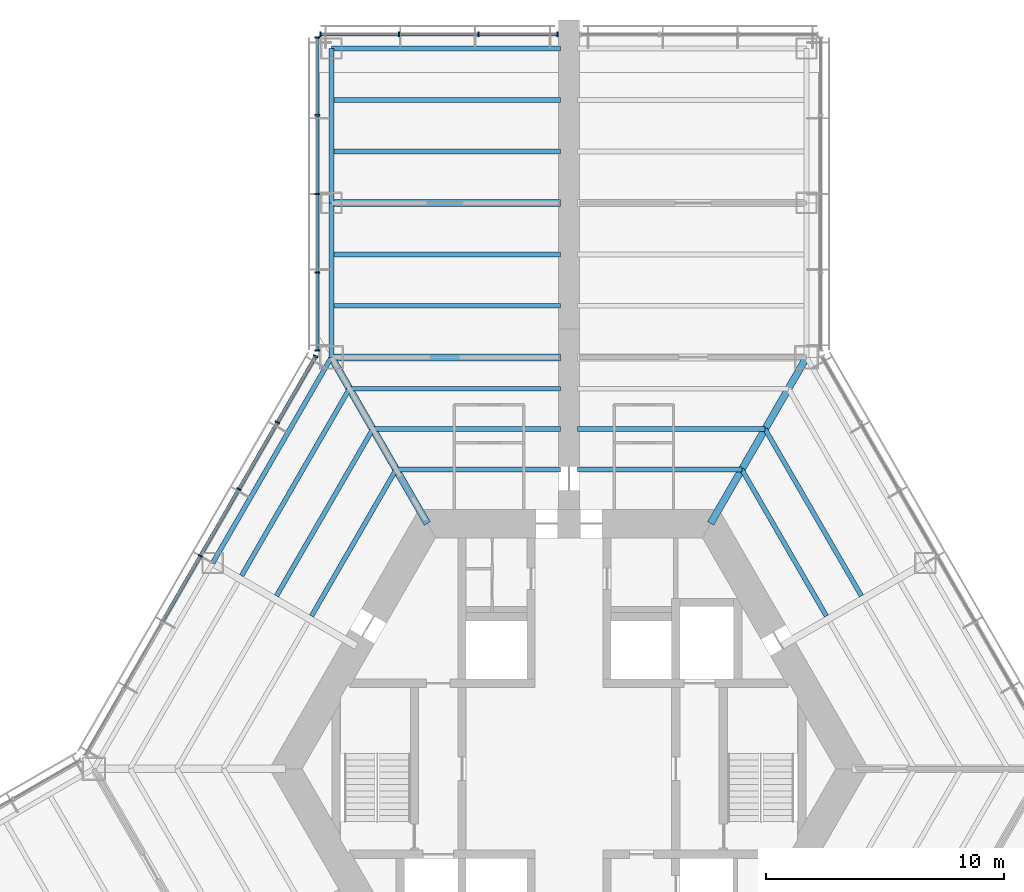
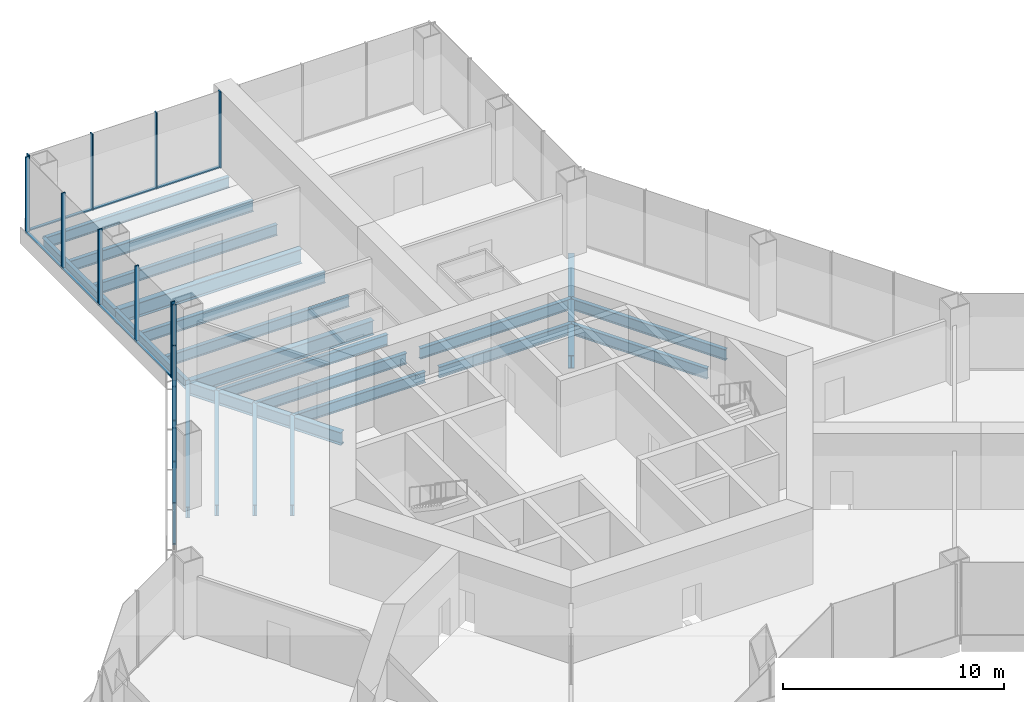
# One storey, part 6 of 15: 24 members, 22 beams, 3 elements without a shape of their own.
"""IFC4 building model written with IfcOpenShell, lengths in metres."""

from ifc_helpers import new_model, si_unit, direction, frame, origin, origin_2d, place, context, subcontext, project, spatial, rectangle, i_section, extrude, material, material_profile, profile_set, type_object, element, aggregate, save


model = new_model("IFC4")

# Units and contexts
model_context = context("Model", 3, precision=1e-05, world=origin(), true_north=direction((0.0, 1.0)))
body_context = subcontext(model_context, "Body", "Model", "MODEL_VIEW")
ifc_project = project(units=[si_unit("LENGTHUNIT", "METRE"), si_unit("AREAUNIT", "SQUARE_METRE"), si_unit("VOLUMEUNIT", "CUBIC_METRE"), si_unit("PLANEANGLEUNIT", "RADIAN"), si_unit("MASSUNIT", "GRAM", prefix="KILO")], contexts=[model_context])

# Site, building, storey
site_placement = place(None, origin())
site = spatial("IfcSite", under=ifc_project, at=site_placement, CompositionType="ELEMENT")
building_placement = place(site_placement, origin())
building = spatial("IfcBuilding", under=site, at=building_placement, Name="Kasaneha Research Tower", CompositionType="ELEMENT")
storey_placement = place(building_placement, frame((0.0, 0.0, 35.199951171875)))
storey = spatial("IfcBuildingStorey", under=building, at=storey_placement, Name="L09", CompositionType="ELEMENT", Elevation=35.199951171875)

# Beams
ifc_material_1 = material(Name="Steel SN490B", Category="steel")
ifc_material_profile_1 = material_profile(ifc_material_1, i_section(OverallWidth=0.199951171875, OverallDepth=0.60009765625, WebThickness=0.010986328125, FlangeThickness=0.01708984375, FilletRadius=0.012939453125, at=origin_2d()), Name="H-600x200x11x17")
ifc_profile_set_1 = profile_set([ifc_material_profile_1], Name="Steel SN490B")
beam_type_1 = type_object("IfcBeamType", Name="B1-2 secondary beam H-600x200x11x17", PredefinedType="JOIST", material=ifc_profile_set_1)
beam_1_placement = place(storey_placement, frame((7.274658203125, 12.60009765625, -0.469970703125), z_axis=(0.499990404686, -0.866030943571, 0.0), x_axis=(0.866030943571, 0.499990404686, 0.0)))
element("IfcBeam", 1, at=beam_1_placement, inside=storey, type_object=beam_type_1, Name="Secondary beam RS030R1 L09", PredefinedType="JOIST", context=body_context, shape_type="SweptSolid", body=[
    extrude(i_section(OverallWidth=0.199951171875, OverallDepth=0.60009765625, WebThickness=0.010986328125, FlangeThickness=0.01708984375, FilletRadius=0.012939453125, at=origin_2d()), origin(), (0.0, 0.0, 1.0), 7.124755859375),
])
beam_2_placement = place(storey_placement, frame((8.256103515625, 14.300048828125, -0.469970703125), z_axis=(0.499984030215, -0.866034623748, 0.0), x_axis=(0.866034623748, 0.499984030215, 0.0)))
element("IfcBeam", 2, at=beam_2_placement, inside=storey, type_object=beam_type_1, Name="Secondary beam RS030R2 L09", PredefinedType="JOIST", context=body_context, shape_type="SweptSolid", body=[
    extrude(i_section(OverallWidth=0.199951171875, OverallDepth=0.60009765625, WebThickness=0.010986328125, FlangeThickness=0.01708984375, FilletRadius=0.012939453125, at=origin_2d()), origin(), (0.0, 0.0, 1.0), 8.106201171875),
])
beam_3_placement = place(storey_placement, frame((7.274658203125, 12.60009765625, -0.469970703125), z_axis=(-1.0, 0.0, 0.0), x_axis=(0.0, -1.0, 0.0)))
element("IfcBeam", 3, at=beam_3_placement, inside=storey, type_object=beam_type_1, Name="Secondary beam RS090L1 L09", PredefinedType="JOIST", context=body_context, shape_type="SweptSolid", body=[
    extrude(i_section(OverallWidth=0.199951171875, OverallDepth=0.60009765625, WebThickness=0.010986328125, FlangeThickness=0.01708984375, FilletRadius=0.012939453125, at=origin_2d()), origin(), (0.0, 0.0, 1.0), 6.924560546875),
])
beam_4_placement = place(storey_placement, frame((8.256103515625, 14.300048828125, -0.469970703125), z_axis=(-1.0, 0.0, 0.0), x_axis=(0.0, -1.0, 0.0)))
element("IfcBeam", 4, at=beam_4_placement, inside=storey, type_object=beam_type_1, Name="Secondary beam RS090L2 L09", PredefinedType="JOIST", context=body_context, shape_type="SweptSolid", body=[
    extrude(i_section(OverallWidth=0.199951171875, OverallDepth=0.60009765625, WebThickness=0.010986328125, FlangeThickness=0.01708984375, FilletRadius=0.012939453125, at=origin_2d()), origin(), (0.0, 0.0, 1.0), 7.906005859375),
])
beam_5_placement = place(storey_placement, frame((-7.274658203125, 12.60009765625, -0.469970703125), z_axis=(1.0, 0.0, 0.0), x_axis=(0.0, 1.0, 0.0)))
element("IfcBeam", 5, at=beam_5_placement, inside=storey, type_object=beam_type_1, Name="Secondary beam RS090R1 L09", PredefinedType="JOIST", context=body_context, shape_type="SweptSolid", body=[
    extrude(i_section(OverallWidth=0.199951171875, OverallDepth=0.60009765625, WebThickness=0.010986328125, FlangeThickness=0.01708984375, FilletRadius=0.012939453125, at=origin_2d()), origin(), (0.0, 0.0, 1.0), 6.924560546875),
])
beam_6_placement = place(storey_placement, frame((-8.256103515625, 14.300048828125, -0.469970703125), z_axis=(1.0, 0.0, 0.0), x_axis=(0.0, 1.0, 0.0)))
element("IfcBeam", 6, at=beam_6_placement, inside=storey, type_object=beam_type_1, Name="Secondary beam RS090R2 L09", PredefinedType="JOIST", context=body_context, shape_type="SweptSolid", body=[
    extrude(i_section(OverallWidth=0.199951171875, OverallDepth=0.60009765625, WebThickness=0.010986328125, FlangeThickness=0.01708984375, FilletRadius=0.012939453125, at=origin_2d()), origin(), (0.0, 0.0, 1.0), 7.906005859375),
])
beam_7_placement = place(storey_placement, frame((-9.237548828125, 16.0, -0.469970703125), z_axis=(1.0, 0.0, 0.0), x_axis=(0.0, 1.0, 0.0)))
element("IfcBeam", 7, at=beam_7_placement, inside=storey, type_object=beam_type_1, Name="Secondary beam RS090R3 L09", PredefinedType="JOIST", context=body_context, shape_type="SweptSolid", body=[
    extrude(i_section(OverallWidth=0.199951171875, OverallDepth=0.60009765625, WebThickness=0.010986328125, FlangeThickness=0.01708984375, FilletRadius=0.012939453125, at=origin_2d()), origin(), (0.0, 0.0, 1.0), 8.887451171875),
])
beam_8_placement = place(storey_placement, frame((-7.274658203125, 12.60009765625, -0.469970703125), z_axis=(-0.499990404686, -0.866030943571, 0.0), x_axis=(0.866030943571, -0.499990404686, 0.0)))
element("IfcBeam", 8, at=beam_8_placement, inside=storey, type_object=beam_type_1, Name="Secondary beam RS150L1 L09", PredefinedType="JOIST", context=body_context, shape_type="SweptSolid", body=[
    extrude(i_section(OverallWidth=0.199951171875, OverallDepth=0.60009765625, WebThickness=0.010986328125, FlangeThickness=0.01708984375, FilletRadius=0.012939453125, at=origin_2d()), origin(), (0.0, 0.0, 1.0), 7.124755859375),
])
beam_9_placement = place(storey_placement, frame((-8.256103515625, 14.300048828125, -0.469970703125), z_axis=(-0.499984030215, -0.866034623748, 0.0), x_axis=(0.866034623748, -0.499984030215, 0.0)))
element("IfcBeam", 9, at=beam_9_placement, inside=storey, type_object=beam_type_1, Name="Secondary beam RS150L2 L09", PredefinedType="JOIST", context=body_context, shape_type="SweptSolid", body=[
    extrude(i_section(OverallWidth=0.199951171875, OverallDepth=0.60009765625, WebThickness=0.010986328125, FlangeThickness=0.01708984375, FilletRadius=0.012939453125, at=origin_2d()), origin(), (0.0, 0.0, 1.0), 8.106201171875),
])
beam_10_placement = place(storey_placement, frame((-9.237548828125, 16.0, -0.469970703125), z_axis=(-0.500010814234, -0.866019160093, 0.0), x_axis=(0.866019160093, -0.500010814234, 0.0)))
element("IfcBeam", 10, at=beam_10_placement, inside=storey, type_object=beam_type_1, Name="Secondary beam RS150L3 L09", PredefinedType="JOIST", context=body_context, shape_type="SweptSolid", body=[
    extrude(i_section(OverallWidth=0.199951171875, OverallDepth=0.60009765625, WebThickness=0.010986328125, FlangeThickness=0.01708984375, FilletRadius=0.012939453125, at=origin_2d()), origin(), (0.0, 0.0, 1.0), 9.087646484375),
])
ifc_material_2 = material(Name="Steel SN490B", Category="steel")
ifc_material_profile_2 = material_profile(ifc_material_2, i_section(OverallWidth=0.198974609375, OverallDepth=0.595947265625, WebThickness=0.010009765625, FlangeThickness=0.014892578125, FilletRadius=0.012939453125, at=origin_2d()), Name="H-596x199x10x15")
ifc_profile_set_2 = profile_set([ifc_material_profile_2], Name="Steel SN490B")
beam_type_2 = type_object("IfcBeamType", Name="B2-2 secondary beam H-596x199x10x15", PredefinedType="JOIST", material=ifc_profile_set_2)
for number, where, z_axis, x_axis, name in (
    (11, (-10.0, 19.487060546875, -0.468017578125), (1.0, 0.0, 0.0), (0.0, 1.0, 0.0), "Secondary beam WBAN1 L09"),
    (12, (-10.0, 21.65380859375, -0.468017578125), (1.0, 0.0, 0.0), (0.0, 1.0, 0.0), "Secondary beam WBAN2 L09"),
    (13, (-10.0, 25.987060546875, -0.468017578125), (1.0, 0.0, 0.0), (0.0, 1.0, 0.0), "Secondary beam WBAN3 L09"),
    (14, (-10.0, 28.15380859375, -0.468017578125), (1.0, 0.0, 0.0), (0.0, 1.0, 0.0), "Secondary beam WBAN4 L09"),
):
    element("IfcBeam", number, at=place(storey_placement, frame(where, z_axis=z_axis, x_axis=x_axis)), inside=storey, type_object=beam_type_2, Name=name, PredefinedType="JOIST", context=body_context, shape_type="SweptSolid", body=[
        extrude(i_section(OverallWidth=0.198974609375, OverallDepth=0.595947265625, WebThickness=0.010009765625, FlangeThickness=0.014892578125, FilletRadius=0.012939453125, at=origin_2d()), origin(), (0.0, 0.0, 1.0), 9.64990234375),
    ])

# Curtain wall, members
ifc_material_3 = material(Name="Glass and aluminium", Category="aluminium")
curtain_wall_type = type_object("IfcCurtainWallType", Name="Dry laboratory curtain wall", PredefinedType="USERDEFINED", material=ifc_material_3)
curtain_wall_1_placement = place(storey_placement, origin())
curtain_wall_1 = element("IfcCurtainWall", 15, at=curtain_wall_1_placement, inside=storey, type_object=curtain_wall_type, Name="CW-L2 L09 run 10a", ObjectType="UNITISED CURTAIN WALL", PredefinedType="USERDEFINED")
ifc_material_4 = material(Name="Aluminium 6063-T6", Category="aluminium")
ifc_material_profile_3 = material_profile(ifc_material_4, rectangle(XDim=0.06494140625, YDim=0.199951171875, at=origin_2d()), Name="CW-L2 mullion 65x200")
ifc_profile_set_3 = profile_set([ifc_material_profile_3], Name="Aluminium 6063-T6")
member_type_1 = type_object("IfcMemberType", Name="CW-L2 mullion", PredefinedType="MULLION", material=ifc_profile_set_3)
member_1_placement = place(storey_placement, frame((-0.482421875, 30.92041015625, 0.0), z_axis=(0.0, 0.0, 1.0), x_axis=(-1.0, 0.0, 0.0)))
member_1 = element("IfcMember", 16, at=member_1_placement, type_object=member_type_1, Name="CW-L2 mullion 1", PredefinedType="MULLION", context=body_context, shape_type="SweptSolid", body=[
    extrude(rectangle(XDim=0.06494140625, YDim=0.199951171875, at=origin_2d()), origin(), (0.0, 0.0, 1.0), 4.199951171875),
])
member_2_placement = place(storey_placement, frame((-3.800048828125, 30.92041015625, 0.0), z_axis=(0.0, 0.0, 1.0), x_axis=(-1.0, 0.0, 0.0)))
member_2 = element("IfcMember", 17, at=member_2_placement, type_object=member_type_1, Name="CW-L2 mullion 2", PredefinedType="MULLION", context=body_context, shape_type="SweptSolid", body=[
    extrude(rectangle(XDim=0.06494140625, YDim=0.199951171875, at=origin_2d()), origin(), (0.0, 0.0, 1.0), 4.199951171875),
])
member_3_placement = place(storey_placement, frame((-7.14990234375, 30.92041015625, 0.0), z_axis=(0.0, 0.0, 1.0), x_axis=(-1.0, 0.0, 0.0)))
member_3 = element("IfcMember", 18, at=member_3_placement, type_object=member_type_1, Name="CW-L2 mullion 3", PredefinedType="MULLION", context=body_context, shape_type="SweptSolid", body=[
    extrude(rectangle(XDim=0.06494140625, YDim=0.199951171875, at=origin_2d()), origin(), (0.0, 0.0, 1.0), 4.199951171875),
])
member_4_placement = place(storey_placement, frame((-10.467529296875, 30.92041015625, 0.0), z_axis=(0.0, 0.0, 1.0), x_axis=(-1.0, 0.0, 0.0)))
member_4 = element("IfcMember", 19, at=member_4_placement, type_object=member_type_1, Name="CW-L2 mullion 4", PredefinedType="MULLION", context=body_context, shape_type="SweptSolid", body=[
    extrude(rectangle(XDim=0.06494140625, YDim=0.199951171875, at=origin_2d()), origin(), (0.0, 0.0, 1.0), 4.199951171875),
])

curtain_wall_2_placement = place(storey_placement, origin())
curtain_wall_2 = element("IfcCurtainWall", 20, at=curtain_wall_2_placement, inside=storey, type_object=curtain_wall_type, Name="CW-L2 L09 run 11a", ObjectType="UNITISED CURTAIN WALL", PredefinedType="USERDEFINED")
member_5_placement = place(storey_placement, frame((-10.60009765625, 30.7880859375, 0.0), z_axis=(0.0, 0.0, 1.0), x_axis=(0.0, -1.0, 0.0)))
member_5 = element("IfcMember", 21, at=member_5_placement, type_object=member_type_1, Name="CW-L2 mullion 1", PredefinedType="MULLION", context=body_context, shape_type="SweptSolid", body=[
    extrude(rectangle(XDim=0.06494140625, YDim=0.199951171875, at=origin_2d()), origin(), (0.0, 0.0, 1.0), 4.199951171875),
])
member_6_placement = place(storey_placement, frame((-10.60009765625, 27.5107421875, 0.0), z_axis=(0.0, 0.0, 1.0), x_axis=(0.0, -1.0, 0.0)))
member_6 = element("IfcMember", 22, at=member_6_placement, type_object=member_type_1, Name="CW-L2 mullion 2", PredefinedType="MULLION", context=body_context, shape_type="SweptSolid", body=[
    extrude(rectangle(XDim=0.06494140625, YDim=0.199951171875, at=origin_2d()), origin(), (0.0, 0.0, 1.0), 4.199951171875),
])
member_7_placement = place(storey_placement, frame((-10.60009765625, 24.200927734375, 0.0), z_axis=(0.0, 0.0, 1.0), x_axis=(0.0, -1.0, 0.0)))
member_7 = element("IfcMember", 23, at=member_7_placement, type_object=member_type_1, Name="CW-L2 mullion 3", PredefinedType="MULLION", context=body_context, shape_type="SweptSolid", body=[
    extrude(rectangle(XDim=0.06494140625, YDim=0.199951171875, at=origin_2d()), origin(), (0.0, 0.0, 1.0), 4.199951171875),
])
member_8_placement = place(storey_placement, frame((-10.60009765625, 20.89111328125, 0.0), z_axis=(0.0, 0.0, 1.0), x_axis=(0.0, -1.0, 0.0)))
member_8 = element("IfcMember", 24, at=member_8_placement, type_object=member_type_1, Name="CW-L2 mullion 4", PredefinedType="MULLION", context=body_context, shape_type="SweptSolid", body=[
    extrude(rectangle(XDim=0.06494140625, YDim=0.199951171875, at=origin_2d()), origin(), (0.0, 0.0, 1.0), 4.199951171875),
])
member_9_placement = place(storey_placement, frame((-10.60009765625, 17.61376953125, 0.0), z_axis=(0.0, 0.0, 1.0), x_axis=(0.0, -1.0, 0.0)))
member_9 = element("IfcMember", 25, at=member_9_placement, type_object=member_type_1, Name="CW-L2 mullion 5", PredefinedType="MULLION", context=body_context, shape_type="SweptSolid", body=[
    extrude(rectangle(XDim=0.06494140625, YDim=0.199951171875, at=origin_2d()), origin(), (0.0, 0.0, 1.0), 4.199951171875),
])

curtain_wall_3_placement = place(storey_placement, origin())
curtain_wall_3 = element("IfcCurtainWall", 26, at=curtain_wall_3_placement, inside=storey, type_object=curtain_wall_type, Name="CW-L2 L09 run 12a", ObjectType="UNITISED CURTAIN WALL", PredefinedType="USERDEFINED")
member_10_placement = place(storey_placement, frame((-10.666259765625, 17.366455078125, 0.0), z_axis=(0.0, 0.0, 1.0), x_axis=(-0.49999996188, -0.866025425793, 0.0)))
member_10 = element("IfcMember", 27, at=member_10_placement, type_object=member_type_1, Name="CW-L2 mullion 1", PredefinedType="MULLION", context=body_context, shape_type="SweptSolid", body=[
    extrude(rectangle(XDim=0.06494140625, YDim=0.199951171875, at=origin_2d()), origin(), (0.0, 0.0, 1.0), 4.199951171875),
])
member_11_placement = place(storey_placement, frame((-12.273193359375, 14.583251953125, 0.0), z_axis=(0.0, 0.0, 1.0), x_axis=(-0.49999996188, -0.866025425793, 0.0)))
member_11 = element("IfcMember", 28, at=member_11_placement, type_object=member_type_1, Name="CW-L2 mullion 2", PredefinedType="MULLION", context=body_context, shape_type="SweptSolid", body=[
    extrude(rectangle(XDim=0.06494140625, YDim=0.199951171875, at=origin_2d()), origin(), (0.0, 0.0, 1.0), 4.199951171875),
])
member_12_placement = place(storey_placement, frame((-13.896484375, 11.771728515625, 0.0), z_axis=(0.0, 0.0, 1.0), x_axis=(-0.49999996188, -0.866025425793, 0.0)))
member_12 = element("IfcMember", 29, at=member_12_placement, type_object=member_type_1, Name="CW-L2 mullion 3", PredefinedType="MULLION", context=body_context, shape_type="SweptSolid", body=[
    extrude(rectangle(XDim=0.06494140625, YDim=0.199951171875, at=origin_2d()), origin(), (0.0, 0.0, 1.0), 4.199951171875),
])
member_13_placement = place(storey_placement, frame((-15.51953125, 8.960205078125, 0.0), z_axis=(0.0, 0.0, 1.0), x_axis=(-0.49999996188, -0.866025425793, 0.0)))
member_13 = element("IfcMember", 30, at=member_13_placement, type_object=member_type_1, Name="CW-L2 mullion 4", PredefinedType="MULLION", context=body_context, shape_type="SweptSolid", body=[
    extrude(rectangle(XDim=0.06494140625, YDim=0.199951171875, at=origin_2d()), origin(), (0.0, 0.0, 1.0), 4.199951171875),
])

# Member
ifc_material_5 = material(Name="Aluminium 6063-T6", Category="aluminium")
ifc_material_profile_4 = material_profile(ifc_material_5, rectangle(XDim=0.14990234375, YDim=0.06494140625, at=origin_2d()), Name="CW-L2 transom 150x65")
ifc_profile_set_4 = profile_set([ifc_material_profile_4], Name="Aluminium 6063-T6")
member_type_2 = type_object("IfcMemberType", Name="CW-L2 transom", PredefinedType="USERDEFINED", material=ifc_profile_set_4)
member_14_placement = place(storey_placement, frame((-0.514892578125, 30.92041015625, 0.032470703125), z_axis=(-1.0, 0.0, 0.0), x_axis=(0.0, -1.0, 0.0)))
member_14 = element("IfcMember", 31, at=member_14_placement, type_object=member_type_2, Name="CW-L2 transom 1", ObjectType="TRANSOM", PredefinedType="USERDEFINED", context=body_context, shape_type="SweptSolid", body=[
    extrude(rectangle(XDim=0.14990234375, YDim=0.06494140625, at=origin_2d()), origin(), (0.0, 0.0, 1.0), 3.252685546875),
])

member_15_placement = place(storey_placement, frame((-3.83251953125, 30.92041015625, 0.032470703125), z_axis=(-1.0, 0.0, 0.0), x_axis=(0.0, -1.0, 0.0)))
member_15 = element("IfcMember", 32, at=member_15_placement, type_object=member_type_2, Name="CW-L2 transom 2", ObjectType="TRANSOM", PredefinedType="USERDEFINED", context=body_context, shape_type="SweptSolid", body=[
    extrude(rectangle(XDim=0.14990234375, YDim=0.06494140625, at=origin_2d()), origin(), (0.0, 0.0, 1.0), 3.284912109375),
])

member_16_placement = place(storey_placement, frame((-7.1826171875, 30.92041015625, 0.032470703125), z_axis=(-1.0, 0.0, 0.0), x_axis=(0.0, -1.0, 0.0)))
member_16 = element("IfcMember", 33, at=member_16_placement, type_object=member_type_2, Name="CW-L2 transom 3", ObjectType="TRANSOM", PredefinedType="USERDEFINED", context=body_context, shape_type="SweptSolid", body=[
    extrude(rectangle(XDim=0.14990234375, YDim=0.06494140625, at=origin_2d()), origin(), (0.0, 0.0, 1.0), 3.25244140625),
])

aggregate(curtain_wall_1, [member_1, member_2, member_3, member_4, member_14, member_15, member_16])

member_17_placement = place(storey_placement, frame((-10.60009765625, 30.755615234375, 0.032470703125), z_axis=(0.0, -1.0, 0.0), x_axis=(1.0, 0.0, 0.0)))
member_17 = element("IfcMember", 34, at=member_17_placement, type_object=member_type_2, Name="CW-L2 transom 1", ObjectType="TRANSOM", PredefinedType="USERDEFINED", context=body_context, shape_type="SweptSolid", body=[
    extrude(rectangle(XDim=0.14990234375, YDim=0.06494140625, at=origin_2d()), origin(), (0.0, 0.0, 1.0), 3.21240234375),
])

member_18_placement = place(storey_placement, frame((-10.60009765625, 27.478271484375, 0.032470703125), z_axis=(0.0, -1.0, 0.0), x_axis=(1.0, 0.0, 0.0)))
member_18 = element("IfcMember", 35, at=member_18_placement, type_object=member_type_2, Name="CW-L2 transom 2", ObjectType="TRANSOM", PredefinedType="USERDEFINED", context=body_context, shape_type="SweptSolid", body=[
    extrude(rectangle(XDim=0.14990234375, YDim=0.06494140625, at=origin_2d()), origin(), (0.0, 0.0, 1.0), 3.244873046875),
])

member_19_placement = place(storey_placement, frame((-10.60009765625, 24.16845703125, 0.032470703125), z_axis=(0.0, -1.0, 0.0), x_axis=(1.0, 0.0, 0.0)))
member_19 = element("IfcMember", 36, at=member_19_placement, type_object=member_type_2, Name="CW-L2 transom 3", ObjectType="TRANSOM", PredefinedType="USERDEFINED", context=body_context, shape_type="SweptSolid", body=[
    extrude(rectangle(XDim=0.14990234375, YDim=0.06494140625, at=origin_2d()), origin(), (0.0, 0.0, 1.0), 3.244873046875),
])

member_20_placement = place(storey_placement, frame((-10.60009765625, 20.858642578125, 0.032470703125), z_axis=(0.0, -1.0, 0.0), x_axis=(1.0, 0.0, 0.0)))
member_20 = element("IfcMember", 37, at=member_20_placement, type_object=member_type_2, Name="CW-L2 transom 4", ObjectType="TRANSOM", PredefinedType="USERDEFINED", context=body_context, shape_type="SweptSolid", body=[
    extrude(rectangle(XDim=0.14990234375, YDim=0.06494140625, at=origin_2d()), origin(), (0.0, 0.0, 1.0), 3.21240234375),
])

aggregate(curtain_wall_2, [member_5, member_6, member_7, member_8, member_9, member_17, member_18, member_19, member_20])

member_21_placement = place(storey_placement, frame((-10.6826171875, 17.33837890625, 0.032470703125), z_axis=(-0.499941702305, -0.866059059358, 0.0), x_axis=(0.866059059358, -0.499941702305, 0.0)))
member_21 = element("IfcMember", 38, at=member_21_placement, type_object=member_type_2, Name="CW-L2 transom 1", ObjectType="TRANSOM", PredefinedType="USERDEFINED", context=body_context, shape_type="SweptSolid", body=[
    extrude(rectangle(XDim=0.14990234375, YDim=0.06494140625, at=origin_2d()), origin(), (0.0, 0.0, 1.0), 3.14892578125),
])

member_22_placement = place(storey_placement, frame((-12.28955078125, 14.55517578125, 0.032470703125), z_axis=(-0.499943876812, -0.866057804098, 0.0), x_axis=(0.866057804098, -0.499943876812, 0.0)))
member_22 = element("IfcMember", 39, at=member_22_placement, type_object=member_type_2, Name="CW-L2 transom 2", ObjectType="TRANSOM", PredefinedType="USERDEFINED", context=body_context, shape_type="SweptSolid", body=[
    extrude(rectangle(XDim=0.14990234375, YDim=0.06494140625, at=origin_2d()), origin(), (0.0, 0.0, 1.0), 3.181396484375),
])

member_23_placement = place(storey_placement, frame((-13.91259765625, 11.74365234375, 0.032470703125), z_axis=(-0.500001430823, -0.866024577697, 0.0), x_axis=(0.866024577697, -0.500001430823, 0.0)))
member_23 = element("IfcMember", 40, at=member_23_placement, type_object=member_type_2, Name="CW-L2 transom 3", ObjectType="TRANSOM", PredefinedType="USERDEFINED", context=body_context, shape_type="SweptSolid", body=[
    extrude(rectangle(XDim=0.14990234375, YDim=0.06494140625, at=origin_2d()), origin(), (0.0, 0.0, 1.0), 3.181640625),
])

member_24_placement = place(storey_placement, frame((-15.535888671875, 8.93212890625, 0.032470703125), z_axis=(-0.499977104415, -0.866038622153, 0.0), x_axis=(0.866038622153, -0.499977104415, 0.0)))
member_24 = element("IfcMember", 41, at=member_24_placement, type_object=member_type_2, Name="CW-L2 transom 4", ObjectType="TRANSOM", PredefinedType="USERDEFINED", context=body_context, shape_type="SweptSolid", body=[
    extrude(rectangle(XDim=0.14990234375, YDim=0.06494140625, at=origin_2d()), origin(), (0.0, 0.0, 1.0), 3.181396484375),
])

aggregate(curtain_wall_3, [member_10, member_11, member_12, member_13, member_21, member_22, member_23, member_24])

# Beams
ifc_material_6 = material(Name="Steel SN490B", Category="steel")
ifc_material_profile_5 = material_profile(ifc_material_6, i_section(OverallWidth=0.300048828125, OverallDepth=0.699951171875, WebThickness=0.012939453125, FlangeThickness=0.02392578125, FilletRadius=0.01806640625, at=origin_2d()), Name="H-700x300x13x24")
ifc_profile_set_5 = profile_set([ifc_material_profile_5], Name="Steel SN490B")
beam_type_3 = type_object("IfcBeamType", Name="G1-2 radial girder H-700x300x13x24", PredefinedType="BEAM", material=ifc_profile_set_5)
for number, where, z_axis, x_axis, name in (
    (42, (5.961181640625, 10.324951171875, -0.52001953125), (0.49999105496, 0.866030568144, 0.0), (-0.866030568144, 0.49999105496, 0.0), "Radial girder RV060 L09"),
    (43, (-5.961181640625, 10.324951171875, -0.52001953125), (-0.49999105496, 0.866030568144, 0.0), (-0.866030568144, -0.49999105496, 0.0), "Radial girder RV120 L09"),
):
    element("IfcBeam", number, at=place(storey_placement, frame(where, z_axis=z_axis, x_axis=x_axis)), inside=storey, type_object=beam_type_3, Name=name, PredefinedType="BEAM", context=body_context, shape_type="SweptSolid", body=[
        extrude(i_section(OverallWidth=0.300048828125, OverallDepth=0.699951171875, WebThickness=0.012939453125, FlangeThickness=0.02392578125, FilletRadius=0.01806640625, at=origin_2d()), origin(), (0.0, 0.0, 1.0), 8.077880859375),
    ])
ifc_material_7 = material(Name="Steel SN490B", Category="steel")
ifc_material_profile_6 = material_profile(ifc_material_7, i_section(OverallWidth=0.300048828125, OverallDepth=0.7919921875, WebThickness=0.013916015625, FlangeThickness=0.02197265625, FilletRadius=0.01806640625, at=origin_2d()), Name="H-792x300x14x22")
ifc_profile_set_6 = profile_set([ifc_material_profile_6], Name="Steel SN490B")
beam_type_4 = type_object("IfcBeamType", Name="G3-2 plate edge girder H-792x300x14x22", PredefinedType="BEAM", material=ifc_profile_set_6)
beam_11_placement = place(storey_placement, frame((-10.0, 17.320556640625, -0.56591796875), z_axis=(1.0, 0.0, 0.0), x_axis=(0.0, 1.0, 0.0)))
element("IfcBeam", 44, at=beam_11_placement, inside=storey, type_object=beam_type_4, Name="Plate edge girder PEAN L09", PredefinedType="BEAM", context=body_context, shape_type="SweptSolid", body=[
    extrude(i_section(OverallWidth=0.300048828125, OverallDepth=0.7919921875, WebThickness=0.013916015625, FlangeThickness=0.02197265625, FilletRadius=0.01806640625, at=origin_2d()), origin(), (0.0, 0.0, 1.0), 9.64990234375),
])
ifc_material_8 = material(Name="Steel SN490B", Category="steel")
ifc_material_profile_7 = material_profile(ifc_material_8, i_section(OverallWidth=0.300048828125, OverallDepth=0.800048828125, WebThickness=0.013916015625, FlangeThickness=0.02587890625, FilletRadius=0.01806640625, at=origin_2d()), Name="H-800x300x14x26")
ifc_profile_set_7 = profile_set([ifc_material_profile_7], Name="Steel SN490B")
beam_type_5 = type_object("IfcBeamType", Name="G4-2 wing girder H-800x300x14x26", PredefinedType="BEAM", material=ifc_profile_set_7)
beam_12_placement = place(storey_placement, frame((-10.0, 23.820556640625, -0.570068359375), z_axis=(1.0, 0.0, 0.0), x_axis=(0.0, 1.0, 0.0)))
element("IfcBeam", 45, at=beam_12_placement, inside=storey, type_object=beam_type_5, Name="Wing girder WGAN L09", PredefinedType="BEAM", context=body_context, shape_type="SweptSolid", body=[
    extrude(i_section(OverallWidth=0.300048828125, OverallDepth=0.800048828125, WebThickness=0.013916015625, FlangeThickness=0.02587890625, FilletRadius=0.01806640625, at=origin_2d()), origin(), (0.0, 0.0, 1.0), 9.64990234375),
])
ifc_material_9 = material(Name="Steel SN490B", Category="steel")
ifc_material_profile_8 = material_profile(ifc_material_9, i_section(OverallWidth=0.199951171875, OverallDepth=0.60009765625, WebThickness=0.010986328125, FlangeThickness=0.01708984375, FilletRadius=0.012939453125, at=origin_2d()), Name="H-600x200x11x17")
ifc_profile_set_8 = profile_set([ifc_material_profile_8], Name="Steel SN490B")
beam_type_6 = type_object("IfcBeamType", Name="SB1-2 spandrel beam H-600x200x11x17", PredefinedType="SPANDREL", material=ifc_profile_set_8)
beam_13_placement = place(storey_placement, frame((-10.0, 17.320556640625, -0.469970703125), z_axis=(-0.499993662806, -0.866029062534, 0.0), x_axis=(0.866029062534, -0.499993662806, 0.0)))
element("IfcBeam", 46, at=beam_13_placement, inside=storey, type_object=beam_type_6, Name="Spandrel beam SR150L L09", PredefinedType="SPANDREL", context=body_context, shape_type="SweptSolid", body=[
    extrude(i_section(OverallWidth=0.199951171875, OverallDepth=0.60009765625, WebThickness=0.010986328125, FlangeThickness=0.01708984375, FilletRadius=0.012939453125, at=origin_2d()), origin(), (0.0, 0.0, 1.0), 10.000244140625),
])
ifc_material_10 = material(Name="Steel SN490B", Category="steel")
ifc_material_profile_9 = material_profile(ifc_material_10, i_section(OverallWidth=0.199951171875, OverallDepth=0.5, WebThickness=0.010009765625, FlangeThickness=0.01611328125, FilletRadius=0.012939453125, at=origin_2d()), Name="H-500x200x10x16")
ifc_profile_set_9 = profile_set([ifc_material_profile_9], Name="Steel SN490B")
beam_type_7 = type_object("IfcBeamType", Name="SB2-2 spandrel beam H-500x200x10x16", PredefinedType="SPANDREL", material=ifc_profile_set_9)
for number, where, z_axis, x_axis, name in (
    (47, (-10.0, 17.320556640625, -0.419921875), (0.0, 1.0, 0.0), (-1.0, 0.0, 0.0), "Spandrel beam WSAN1 L09"),
    (48, (-10.0, 23.820556640625, -0.419921875), (0.0, 1.0, 0.0), (-1.0, 0.0, 0.0), "Spandrel beam WSAN2 L09"),
):
    element("IfcBeam", number, at=place(storey_placement, frame(where, z_axis=z_axis, x_axis=x_axis)), inside=storey, type_object=beam_type_7, Name=name, PredefinedType="SPANDREL", context=body_context, shape_type="SweptSolid", body=[
        extrude(i_section(OverallWidth=0.199951171875, OverallDepth=0.5, WebThickness=0.010009765625, FlangeThickness=0.01611328125, FilletRadius=0.012939453125, at=origin_2d()), origin(), (0.0, 0.0, 1.0), 6.5),
    ])
ifc_material_11 = material(Name="Steel SN490B", Category="steel")
ifc_material_profile_10 = material_profile(ifc_material_11, i_section(OverallWidth=0.199951171875, OverallDepth=0.60009765625, WebThickness=0.010986328125, FlangeThickness=0.01708984375, FilletRadius=0.012939453125, at=origin_2d()), Name="H-600x200x11x17")
ifc_profile_set_10 = profile_set([ifc_material_profile_10], Name="Steel SN490B")
beam_type_8 = type_object("IfcBeamType", Name="SB3-2 spandrel beam H-600x200x11x17", PredefinedType="SPANDREL", material=ifc_profile_set_10)
beam_14_placement = place(storey_placement, frame((-10.0, 30.320556640625, -0.469970703125), z_axis=(1.0, 0.0, 0.0), x_axis=(0.0, 1.0, 0.0)))
element("IfcBeam", 49, at=beam_14_placement, inside=storey, type_object=beam_type_8, Name="Spandrel beam WTAN L09", PredefinedType="SPANDREL", context=body_context, shape_type="SweptSolid", body=[
    extrude(i_section(OverallWidth=0.199951171875, OverallDepth=0.60009765625, WebThickness=0.010986328125, FlangeThickness=0.01708984375, FilletRadius=0.012939453125, at=origin_2d()), origin(), (0.0, 0.0, 1.0), 9.64990234375),
])

save(model, "model.ifc")
